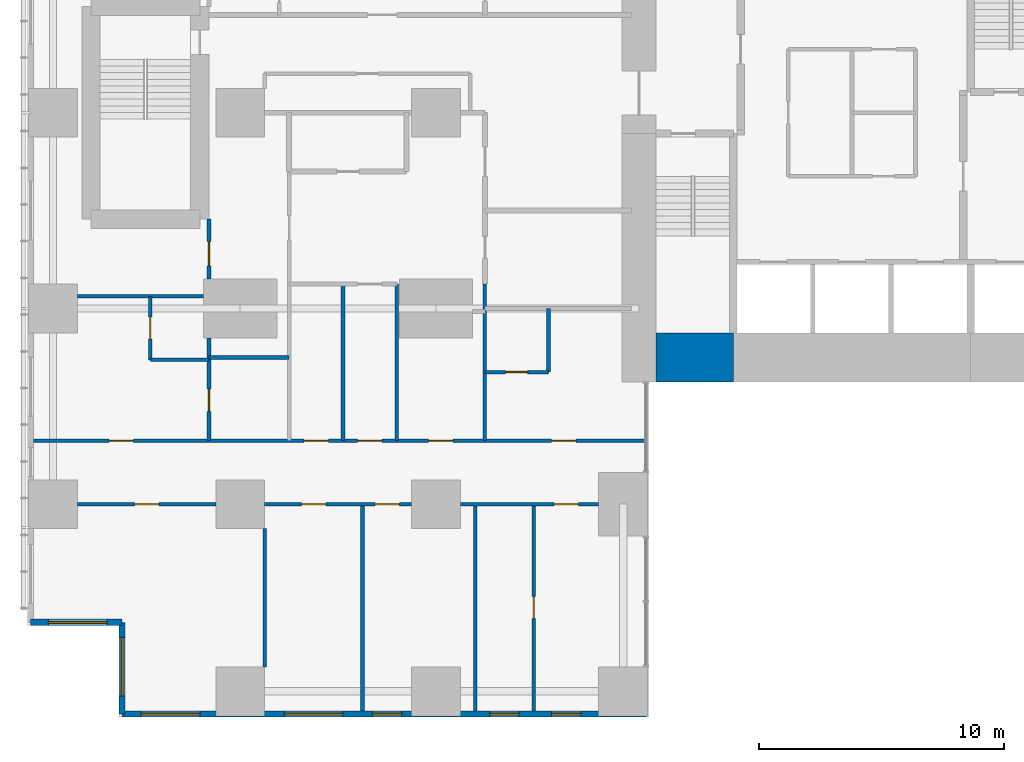
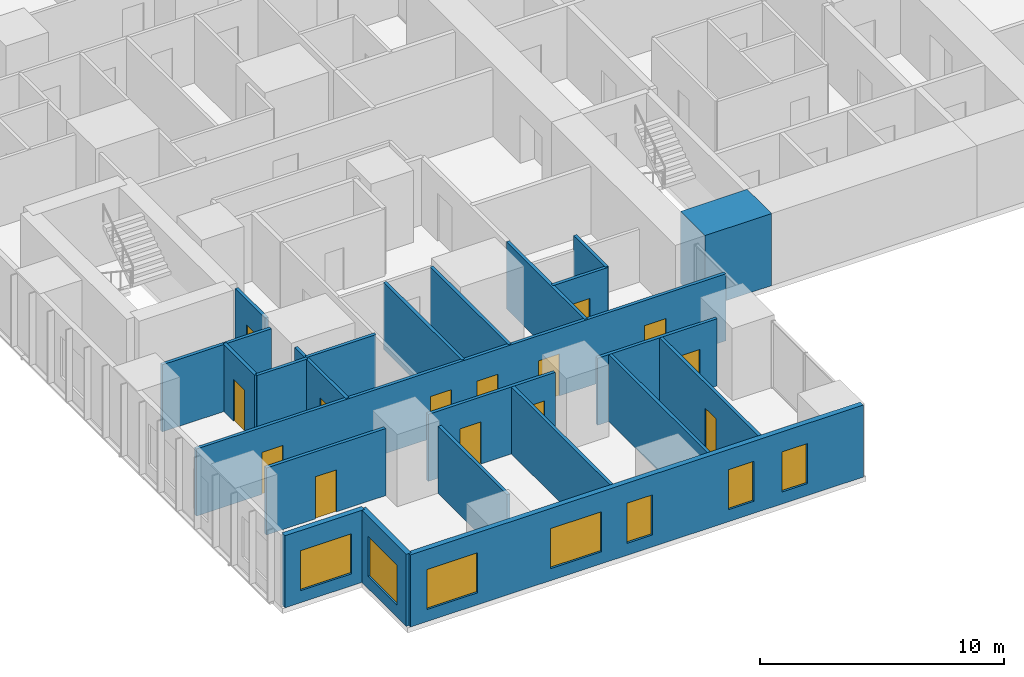
# One storey, part 12 of 20: 23 walls, 14 doors, 7 windows, 21 openings.
"""IFC4 building model written with IfcOpenShell, lengths in metres."""

from ifc_helpers import new_model, si_unit, direction, frame, frame_2d, origin, place, context, subcontext, project, spatial, rectangle, extrude, material, layer, layer_set, type_object, element, fill, save


model = new_model("IFC4")

# Units and contexts
model_context = context("Model", 3, precision=1e-05, world=origin(), true_north=direction((0.0, 1.0)))
body_context = subcontext(model_context, "Body", "Model", "MODEL_VIEW")
ifc_project = project(units=[si_unit("LENGTHUNIT", "METRE"), si_unit("AREAUNIT", "SQUARE_METRE"), si_unit("VOLUMEUNIT", "CUBIC_METRE"), si_unit("PLANEANGLEUNIT", "RADIAN"), si_unit("MASSUNIT", "GRAM", prefix="KILO")], contexts=[model_context])

# Site, building, storey
site_placement = place(None, origin())
site = spatial("IfcSite", under=ifc_project, at=site_placement, CompositionType="ELEMENT")
building_placement = place(site_placement, origin())
building = spatial("IfcBuilding", under=site, at=building_placement, Name="Cleftline Residences", CompositionType="ELEMENT")
storey_placement = place(building_placement, frame((0.0, 0.0, 44.0)))
storey = spatial("IfcBuildingStorey", under=building, at=storey_placement, Name="L10", CompositionType="ELEMENT", Elevation=44.0)

# Wall
ifc_material_1 = material(Name="Concrete B70", Category="concrete")
ifc_layer_1 = layer(ifc_material_1, 2.0)
ifc_layer_set_1 = layer_set([ifc_layer_1], Name="CORE WALL 2000")
wall_type_1 = type_object("IfcWallType", Name="CORE WALL 2000", PredefinedType="SHEAR", material=ifc_layer_set_1)
wall_1_placement = place(storey_placement, frame((25.0, 14.0, 0.0), z_axis=(0.0, 0.0, 1.0), x_axis=(1.0, 0.0, 0.0)))
element("IfcWall", 1, at=wall_1_placement, inside=storey, type_object=wall_type_1, Name="Core wall S1", PredefinedType="SHEAR", context=body_context, shape_type="SweptSolid", body=[
    extrude(rectangle(XDim=3.14990234375, YDim=2.0, at=frame_2d((1.574951171875, 0.0))), origin(), (0.0, 0.0, 1.0), 3.60009765625),
])

# Wall, opening, window
ifc_material_2 = material(Name="Rendered reinforced concrete blockwork", Category="masonry")
ifc_layer_2 = layer(ifc_material_2, 0.25)
ifc_layer_set_2 = layer_set([ifc_layer_2], Name="EXTERNAL WALL 250")
wall_type_2 = type_object("IfcWallType", Name="EXTERNAL WALL 250", PredefinedType="SOLIDWALL", material=ifc_layer_set_2)
wall_2_placement = place(storey_placement, frame((-0.574951171875, 3.175048828125, 0.0), z_axis=(0.0, 0.0, 1.0), x_axis=(1.0, 0.0, 0.0)))
wall_2 = element("IfcWall", 2, at=wall_2_placement, inside=storey, type_object=wall_type_2, Name="External wall", PredefinedType="SOLIDWALL", context=body_context, shape_type="SweptSolid", body=[
    extrude(rectangle(XDim=3.75, YDim=0.25, at=frame_2d((1.875, 0.0))), origin(), (0.0, 0.0, 1.0), 3.60009765625),
])
opening_1_placement = place(wall_2_placement, frame((0.737548828125, 0.0, 0.60009765625)))
opening_1 = element("IfcOpeningElement", 3, at=opening_1_placement, cuts=wall_2, Name="Opening W6", PredefinedType="OPENING", context=body_context, shape_type="SweptSolid", body=[
    extrude(rectangle(XDim=2.39990234375, YDim=2.0, at=frame_2d((1.199951171875, 1.0))), frame((0.0, 0.135009765625, 0.0), z_axis=(0.0, -1.0, 0.0), x_axis=(1.0, 0.0, 0.0)), (0.0, 0.0, 1.0), 0.27001953125),
])
ifc_material_3 = material(Name="Aluminium frame, clear double glazing", Category="aluminium")
window_type_1 = type_object("IfcWindowType", Name="WINDOW 2400X2000", PartitioningType="DOUBLE_PANEL_VERTICAL", PredefinedType="WINDOW", material=ifc_material_3)
window_1_placement = place(opening_1_placement, origin())
window_1 = element("IfcWindow", 4, at=window_1_placement, inside=storey, type_object=window_type_1, Name="Window", OverallHeight=2.0, OverallWidth=2.39990234375, PartitioningType="SINGLE_PANEL", PredefinedType="WINDOW", context=body_context, shape_type="SweptSolid", body=[
    extrude(rectangle(XDim=2.39990234375, YDim=2.0, at=frame_2d((1.199951171875, 1.0))), frame((0.0, 0.030029296875, 0.0), z_axis=(0.0, -1.0, 0.0), x_axis=(1.0, 0.0, 0.0)), (0.0, 0.0, 1.0), 0.06005859375),
])
fill(opening_1, window_1)

wall_3_placement = place(storey_placement, frame((3.175048828125, 3.175048828125, 0.0), z_axis=(0.0, 0.0, 1.0), x_axis=(0.0, -1.0, 0.0)))
wall_3 = element("IfcWall", 5, at=wall_3_placement, inside=storey, type_object=wall_type_2, Name="External wall", PredefinedType="SOLIDWALL", context=body_context, shape_type="SweptSolid", body=[
    extrude(rectangle(XDim=3.75, YDim=0.25, at=frame_2d((1.875, 0.0))), origin(), (0.0, 0.0, 1.0), 3.60009765625),
])
opening_2_placement = place(wall_3_placement, frame((0.612548828125, 0.0, 0.60009765625)))
opening_2 = element("IfcOpeningElement", 6, at=opening_2_placement, cuts=wall_3, Name="Opening W6", PredefinedType="OPENING", context=body_context, shape_type="SweptSolid", body=[
    extrude(rectangle(XDim=2.39990234375, YDim=2.0, at=frame_2d((1.199951171875, 1.0))), frame((0.0, 0.135009765625, 0.0), z_axis=(0.0, -1.0, 0.0), x_axis=(1.0, 0.0, 0.0)), (0.0, 0.0, 1.0), 0.27001953125),
])
window_2_placement = place(opening_2_placement, origin())
window_2 = element("IfcWindow", 7, at=window_2_placement, inside=storey, type_object=window_type_1, Name="Window", OverallHeight=2.0, OverallWidth=2.39990234375, PartitioningType="SINGLE_PANEL", PredefinedType="WINDOW", context=body_context, shape_type="SweptSolid", body=[
    extrude(rectangle(XDim=2.39990234375, YDim=2.0, at=frame_2d((1.199951171875, 1.0))), frame((0.0, 0.030029296875, 0.0), z_axis=(0.0, -1.0, 0.0), x_axis=(1.0, 0.0, 0.0)), (0.0, 0.0, 1.0), 0.06005859375),
])
fill(opening_2, window_2)

# Wall, openings, windows
wall_4_placement = place(storey_placement, frame((3.175048828125, -0.574951171875, 0.0), z_axis=(0.0, 0.0, 1.0), x_axis=(1.0, 0.0, 0.0)))
wall_4 = element("IfcWall", 8, at=wall_4_placement, inside=storey, type_object=wall_type_2, Name="External wall", PredefinedType="SOLIDWALL", context=body_context, shape_type="SweptSolid", body=[
    extrude(rectangle(XDim=21.39990234375, YDim=0.25, at=frame_2d((10.699951171875, 0.0))), origin(), (0.0, 0.0, 1.0), 3.60009765625),
])
opening_3_placement = place(wall_4_placement, frame((0.77490234375, 0.0, 0.60009765625)))
opening_3 = element("IfcOpeningElement", 9, at=opening_3_placement, cuts=wall_4, Name="Opening W6", PredefinedType="OPENING", context=body_context, shape_type="SweptSolid", body=[
    extrude(rectangle(XDim=2.39990234375, YDim=2.0, at=frame_2d((1.199951171875, 1.0))), frame((0.0, 0.135009765625, 0.0), z_axis=(0.0, -1.0, 0.0), x_axis=(1.0, 0.0, 0.0)), (0.0, 0.0, 1.0), 0.27001953125),
])
opening_4_placement = place(wall_4_placement, frame((6.625, 0.0, 0.60009765625)))
opening_4 = element("IfcOpeningElement", 10, at=opening_4_placement, cuts=wall_4, Name="Opening W6", PredefinedType="OPENING", context=body_context, shape_type="SweptSolid", body=[
    extrude(rectangle(XDim=2.39990234375, YDim=2.0, at=frame_2d((1.199951171875, 1.0))), frame((0.0, 0.135009765625, 0.0), z_axis=(0.0, -1.0, 0.0), x_axis=(1.0, 0.0, 0.0)), (0.0, 0.0, 1.0), 0.27001953125),
])
opening_5_placement = place(wall_4_placement, frame((10.22509765625, 0.0, 0.60009765625)))
opening_5 = element("IfcOpeningElement", 11, at=opening_5_placement, cuts=wall_4, Name="Opening W8", PredefinedType="OPENING", context=body_context, shape_type="SweptSolid", body=[
    extrude(rectangle(XDim=1.199951171875, YDim=2.0, at=frame_2d((0.60009765625, 1.0))), frame((0.0, 0.135009765625, 0.0), z_axis=(0.0, -1.0, 0.0), x_axis=(1.0, 0.0, 0.0)), (0.0, 0.0, 1.0), 0.27001953125),
])
opening_6_placement = place(wall_4_placement, frame((15.02490234375, 0.0, 0.60009765625)))
opening_6 = element("IfcOpeningElement", 12, at=opening_6_placement, cuts=wall_4, Name="Opening W8", PredefinedType="OPENING", context=body_context, shape_type="SweptSolid", body=[
    extrude(rectangle(XDim=1.199951171875, YDim=2.0, at=frame_2d((0.60009765625, 1.0))), frame((0.0, 0.135009765625, 0.0), z_axis=(0.0, -1.0, 0.0), x_axis=(1.0, 0.0, 0.0)), (0.0, 0.0, 1.0), 0.27001953125),
])
opening_7_placement = place(wall_4_placement, frame((17.550048828125, 0.0, 0.60009765625)))
opening_7 = element("IfcOpeningElement", 13, at=opening_7_placement, cuts=wall_4, Name="Opening W8", PredefinedType="OPENING", context=body_context, shape_type="SweptSolid", body=[
    extrude(rectangle(XDim=1.199951171875, YDim=2.0, at=frame_2d((0.60009765625, 1.0))), frame((0.0, 0.135009765625, 0.0), z_axis=(0.0, -1.0, 0.0), x_axis=(1.0, 0.0, 0.0)), (0.0, 0.0, 1.0), 0.27001953125),
])
ifc_material_4 = material(Name="Aluminium frame, clear double glazing", Category="aluminium")
window_type_2 = type_object("IfcWindowType", Name="WINDOW 1200X2000", PartitioningType="DOUBLE_PANEL_VERTICAL", PredefinedType="WINDOW", material=ifc_material_4)
window_3_placement = place(opening_5_placement, origin())
window_3 = element("IfcWindow", 14, at=window_3_placement, inside=storey, type_object=window_type_2, Name="Window", OverallHeight=2.0, OverallWidth=1.199951171875, PartitioningType="SINGLE_PANEL", PredefinedType="WINDOW", context=body_context, shape_type="SweptSolid", body=[
    extrude(rectangle(XDim=1.199951171875, YDim=2.0, at=frame_2d((0.60009765625, 1.0))), frame((0.0, 0.030029296875, 0.0), z_axis=(0.0, -1.0, 0.0), x_axis=(1.0, 0.0, 0.0)), (0.0, 0.0, 1.0), 0.06005859375),
])
fill(opening_5, window_3)
window_4_placement = place(opening_6_placement, origin())
window_4 = element("IfcWindow", 15, at=window_4_placement, inside=storey, type_object=window_type_2, Name="Window", OverallHeight=2.0, OverallWidth=1.199951171875, PartitioningType="SINGLE_PANEL", PredefinedType="WINDOW", context=body_context, shape_type="SweptSolid", body=[
    extrude(rectangle(XDim=1.199951171875, YDim=2.0, at=frame_2d((0.60009765625, 1.0))), frame((0.0, 0.030029296875, 0.0), z_axis=(0.0, -1.0, 0.0), x_axis=(1.0, 0.0, 0.0)), (0.0, 0.0, 1.0), 0.06005859375),
])
fill(opening_6, window_4)
window_5_placement = place(opening_7_placement, origin())
window_5 = element("IfcWindow", 16, at=window_5_placement, inside=storey, type_object=window_type_2, Name="Window", OverallHeight=2.0, OverallWidth=1.199951171875, PartitioningType="SINGLE_PANEL", PredefinedType="WINDOW", context=body_context, shape_type="SweptSolid", body=[
    extrude(rectangle(XDim=1.199951171875, YDim=2.0, at=frame_2d((0.60009765625, 1.0))), frame((0.0, 0.030029296875, 0.0), z_axis=(0.0, -1.0, 0.0), x_axis=(1.0, 0.0, 0.0)), (0.0, 0.0, 1.0), 0.06005859375),
])
fill(opening_7, window_5)
window_6_placement = place(opening_3_placement, origin())
window_6 = element("IfcWindow", 17, at=window_6_placement, inside=storey, type_object=window_type_1, Name="Window", OverallHeight=2.0, OverallWidth=2.39990234375, PartitioningType="SINGLE_PANEL", PredefinedType="WINDOW", context=body_context, shape_type="SweptSolid", body=[
    extrude(rectangle(XDim=2.39990234375, YDim=2.0, at=frame_2d((1.199951171875, 1.0))), frame((0.0, 0.030029296875, 0.0), z_axis=(0.0, -1.0, 0.0), x_axis=(1.0, 0.0, 0.0)), (0.0, 0.0, 1.0), 0.06005859375),
])
fill(opening_3, window_6)
window_7_placement = place(opening_4_placement, origin())
window_7 = element("IfcWindow", 18, at=window_7_placement, inside=storey, type_object=window_type_1, Name="Window", OverallHeight=2.0, OverallWidth=2.39990234375, PartitioningType="SINGLE_PANEL", PredefinedType="WINDOW", context=body_context, shape_type="SweptSolid", body=[
    extrude(rectangle(XDim=2.39990234375, YDim=2.0, at=frame_2d((1.199951171875, 1.0))), frame((0.0, 0.030029296875, 0.0), z_axis=(0.0, -1.0, 0.0), x_axis=(1.0, 0.0, 0.0)), (0.0, 0.0, 1.0), 0.06005859375),
])
fill(opening_4, window_7)

# Wall, opening, door
ifc_material_5 = material(Name="Gypsum board on steel studs", Category="steel")
ifc_layer_3 = layer(ifc_material_5, 0.14990234375)
ifc_layer_set_3 = layer_set([ifc_layer_3], Name="PARTITION 150")
wall_type_3 = type_object("IfcWallType", Name="PARTITION 150", PredefinedType="PARTITIONING", material=ifc_layer_set_3)
wall_5_placement = place(storey_placement, frame((1.35009765625, 8.0, 0.0), z_axis=(0.0, 0.0, 1.0), x_axis=(1.0, 0.0, 0.0)))
wall_5 = element("IfcWall", 19, at=wall_5_placement, inside=storey, type_object=wall_type_3, Name="Partition", PredefinedType="PARTITIONING", context=body_context, shape_type="SweptSolid", body=[
    extrude(rectangle(XDim=5.64990234375, YDim=0.14990234375, at=frame_2d((2.824951171875, 0.0))), origin(), (0.0, 0.0, 1.0), 3.35009765625),
])
opening_8_placement = place(wall_5_placement, frame((2.324951171875, 0.0, 0.0)))
opening_8 = element("IfcOpeningElement", 20, at=opening_8_placement, cuts=wall_5, Name="Opening D2", PredefinedType="OPENING", context=body_context, shape_type="SweptSolid", body=[
    extrude(rectangle(XDim=1.0, YDim=2.10009765625, at=frame_2d((0.5, 1.050048828125))), frame((0.0, 0.0849609375, 0.0), z_axis=(0.0, -1.0, 0.0), x_axis=(1.0, 0.0, 0.0)), (0.0, 0.0, 1.0), 0.169921875),
])
ifc_material_6 = material(Name="Timber veneer on solid core", Category="wood")
door_type_1 = type_object("IfcDoorType", Name="DOOR 1000X2100", OperationType="SINGLE_SWING_LEFT", PredefinedType="DOOR", material=ifc_material_6)
door_1_placement = place(opening_8_placement, origin())
door_1 = element("IfcDoor", 21, at=door_1_placement, inside=storey, type_object=door_type_1, Name="Door to living room", OperationType="SINGLE_SWING_LEFT", OverallHeight=2.10009765625, OverallWidth=1.0, PredefinedType="DOOR", context=body_context, shape_type="SweptSolid", body=[
    extrude(rectangle(XDim=1.0, YDim=2.10009765625, at=frame_2d((0.5, 1.050048828125))), frame((0.0, 0.02490234375, 0.0), z_axis=(0.0, -1.0, 0.0), x_axis=(1.0, 0.0, 0.0)), (0.0, 0.0, 1.0), 0.050048828125),
])
fill(opening_8, door_1)

# Wall, openings, doors
wall_6_placement = place(storey_placement, frame((9.0, 8.0, 0.0), z_axis=(0.0, 0.0, 1.0), x_axis=(1.0, 0.0, 0.0)))
wall_6 = element("IfcWall", 22, at=wall_6_placement, inside=storey, type_object=wall_type_3, Name="Partition", PredefinedType="PARTITIONING", context=body_context, shape_type="SweptSolid", body=[
    extrude(rectangle(XDim=6.0, YDim=0.14990234375, at=frame_2d((3.0, 0.0))), origin(), (0.0, 0.0, 1.0), 3.35009765625),
])
opening_9_placement = place(wall_6_placement, frame((1.5, 0.0, 0.0)))
opening_9 = element("IfcOpeningElement", 23, at=opening_9_placement, cuts=wall_6, Name="Opening D2", PredefinedType="OPENING", context=body_context, shape_type="SweptSolid", body=[
    extrude(rectangle(XDim=1.0, YDim=2.10009765625, at=frame_2d((0.5, 1.050048828125))), frame((0.0, 0.0849609375, 0.0), z_axis=(0.0, -1.0, 0.0), x_axis=(1.0, 0.0, 0.0)), (0.0, 0.0, 1.0), 0.169921875),
])
opening_10_placement = place(wall_6_placement, frame((4.5, 0.0, 0.0)))
opening_10 = element("IfcOpeningElement", 24, at=opening_10_placement, cuts=wall_6, Name="Opening D2", PredefinedType="OPENING", context=body_context, shape_type="SweptSolid", body=[
    extrude(rectangle(XDim=1.0, YDim=2.10009765625, at=frame_2d((0.5, 1.050048828125))), frame((0.0, 0.0849609375, 0.0), z_axis=(0.0, -1.0, 0.0), x_axis=(1.0, 0.0, 0.0)), (0.0, 0.0, 1.0), 0.169921875),
])
door_2_placement = place(opening_9_placement, origin())
door_2 = element("IfcDoor", 25, at=door_2_placement, inside=storey, type_object=door_type_1, Name="Door to dining room", OperationType="SINGLE_SWING_RIGHT", OverallHeight=2.10009765625, OverallWidth=1.0, PredefinedType="DOOR", context=body_context, shape_type="SweptSolid", body=[
    extrude(rectangle(XDim=1.0, YDim=2.10009765625, at=frame_2d((0.5, 1.050048828125))), frame((0.0, 0.02490234375, 0.0), z_axis=(0.0, -1.0, 0.0), x_axis=(1.0, 0.0, 0.0)), (0.0, 0.0, 1.0), 0.050048828125),
])
fill(opening_9, door_2)
door_3_placement = place(opening_10_placement, origin())
door_3 = element("IfcDoor", 26, at=door_3_placement, inside=storey, type_object=door_type_1, Name="Door to show kitchen", OperationType="SINGLE_SWING_LEFT", OverallHeight=2.10009765625, OverallWidth=1.0, PredefinedType="DOOR", context=body_context, shape_type="SweptSolid", body=[
    extrude(rectangle(XDim=1.0, YDim=2.10009765625, at=frame_2d((0.5, 1.050048828125))), frame((0.0, 0.02490234375, 0.0), z_axis=(0.0, -1.0, 0.0), x_axis=(1.0, 0.0, 0.0)), (0.0, 0.0, 1.0), 0.050048828125),
])
fill(opening_10, door_3)

# Wall, opening, door
wall_7_placement = place(storey_placement, frame((17.0, 8.0, 0.0), z_axis=(0.0, 0.0, 1.0), x_axis=(1.0, 0.0, 0.0)))
wall_7 = element("IfcWall", 27, at=wall_7_placement, inside=storey, type_object=wall_type_3, Name="Partition", PredefinedType="PARTITIONING", context=body_context, shape_type="SweptSolid", body=[
    extrude(rectangle(XDim=5.64990234375, YDim=0.14990234375, at=frame_2d((2.824951171875, 0.0))), origin(), (0.0, 0.0, 1.0), 3.35009765625),
])
opening_11_placement = place(wall_7_placement, frame((3.824951171875, 0.0, 0.0)))
opening_11 = element("IfcOpeningElement", 28, at=opening_11_placement, cuts=wall_7, Name="Opening D2", PredefinedType="OPENING", context=body_context, shape_type="SweptSolid", body=[
    extrude(rectangle(XDim=1.0, YDim=2.10009765625, at=frame_2d((0.5, 1.050048828125))), frame((0.0, 0.0849609375, 0.0), z_axis=(0.0, -1.0, 0.0), x_axis=(1.0, 0.0, 0.0)), (0.0, 0.0, 1.0), 0.169921875),
])
door_4_placement = place(opening_11_placement, origin())
door_4 = element("IfcDoor", 29, at=door_4_placement, inside=storey, type_object=door_type_1, Name="Door to bedroom 2", OperationType="SINGLE_SWING_LEFT", OverallHeight=2.10009765625, OverallWidth=1.0, PredefinedType="DOOR", context=body_context, shape_type="SweptSolid", body=[
    extrude(rectangle(XDim=1.0, YDim=2.10009765625, at=frame_2d((0.5, 1.050048828125))), frame((0.0, 0.02490234375, 0.0), z_axis=(0.0, -1.0, 0.0), x_axis=(1.0, 0.0, 0.0)), (0.0, 0.0, 1.0), 0.050048828125),
])
fill(opening_11, door_4)

# Wall, openings, doors
wall_8_placement = place(storey_placement, frame((-0.449951171875, 10.60009765625, 0.0), z_axis=(0.0, 0.0, 1.0), x_axis=(1.0, 0.0, 0.0)))
wall_8 = element("IfcWall", 30, at=wall_8_placement, inside=storey, type_object=wall_type_3, Name="Partition", PredefinedType="PARTITIONING", context=body_context, shape_type="SweptSolid", body=[
    extrude(rectangle(XDim=25.010986328125, YDim=0.14990234375, at=frame_2d((12.50537109375, 0.0))), origin(), (0.0, 0.0, 1.0), 3.35009765625),
])
opening_12_placement = place(wall_8_placement, frame((13.25, 0.0, 0.0)))
opening_12 = element("IfcOpeningElement", 31, at=opening_12_placement, cuts=wall_8, Name="Opening D2", PredefinedType="OPENING", context=body_context, shape_type="SweptSolid", body=[
    extrude(rectangle(XDim=1.0, YDim=2.10009765625, at=frame_2d((0.5, 1.050048828125))), frame((0.0, 0.0849609375, 0.0), z_axis=(0.0, -1.0, 0.0), x_axis=(1.0, 0.0, 0.0)), (0.0, 0.0, 1.0), 0.169921875),
])
opening_13_placement = place(wall_8_placement, frame((3.08740234375, 0.0, 0.0)))
opening_13 = element("IfcOpeningElement", 32, at=opening_13_placement, cuts=wall_8, Name="Opening D2", PredefinedType="OPENING", context=body_context, shape_type="SweptSolid", body=[
    extrude(rectangle(XDim=1.0, YDim=2.10009765625, at=frame_2d((0.5, 1.050048828125))), frame((0.0, 0.0849609375, 0.0), z_axis=(0.0, -1.0, 0.0), x_axis=(1.0, 0.0, 0.0)), (0.0, 0.0, 1.0), 0.169921875),
])
opening_14_placement = place(wall_8_placement, frame((11.050048828125, 0.0, 0.0)))
opening_14 = element("IfcOpeningElement", 33, at=opening_14_placement, cuts=wall_8, Name="Opening D2", PredefinedType="OPENING", context=body_context, shape_type="SweptSolid", body=[
    extrude(rectangle(XDim=1.0, YDim=2.10009765625, at=frame_2d((0.5, 1.050048828125))), frame((0.0, 0.0849609375, 0.0), z_axis=(0.0, -1.0, 0.0), x_axis=(1.0, 0.0, 0.0)), (0.0, 0.0, 1.0), 0.169921875),
])
opening_15_placement = place(wall_8_placement, frame((16.14990234375, 0.0, 0.0)))
opening_15 = element("IfcOpeningElement", 34, at=opening_15_placement, cuts=wall_8, Name="Opening D2", PredefinedType="OPENING", context=body_context, shape_type="SweptSolid", body=[
    extrude(rectangle(XDim=1.0, YDim=2.10009765625, at=frame_2d((0.5, 1.050048828125))), frame((0.0, 0.0849609375, 0.0), z_axis=(0.0, -1.0, 0.0), x_axis=(1.0, 0.0, 0.0)), (0.0, 0.0, 1.0), 0.169921875),
])
opening_16_placement = place(wall_8_placement, frame((21.175048828125, 0.0, 0.0)))
opening_16 = element("IfcOpeningElement", 35, at=opening_16_placement, cuts=wall_8, Name="Opening D2", PredefinedType="OPENING", context=body_context, shape_type="SweptSolid", body=[
    extrude(rectangle(XDim=1.0, YDim=2.10009765625, at=frame_2d((0.5, 1.050048828125))), frame((0.0, 0.0849609375, 0.0), z_axis=(0.0, -1.0, 0.0), x_axis=(1.0, 0.0, 0.0)), (0.0, 0.0, 1.0), 0.169921875),
])
door_5_placement = place(opening_12_placement, origin())
door_5 = element("IfcDoor", 36, at=door_5_placement, inside=storey, type_object=door_type_1, Name="Door to residence hall", OperationType="SINGLE_SWING_LEFT", OverallHeight=2.10009765625, OverallWidth=1.0, PredefinedType="DOOR", context=body_context, shape_type="SweptSolid", body=[
    extrude(rectangle(XDim=1.0, YDim=2.10009765625, at=frame_2d((0.5, 1.050048828125))), frame((0.0, 0.02490234375, 0.0), z_axis=(0.0, -1.0, 0.0), x_axis=(1.0, 0.0, 0.0)), (0.0, 0.0, 1.0), 0.050048828125),
])
fill(opening_12, door_5)
door_6_placement = place(opening_13_placement, origin())
door_6 = element("IfcDoor", 37, at=door_6_placement, inside=storey, type_object=door_type_1, Name="Door to master bedroom", OperationType="SINGLE_SWING_RIGHT", OverallHeight=2.10009765625, OverallWidth=1.0, PredefinedType="DOOR", context=body_context, shape_type="SweptSolid", body=[
    extrude(rectangle(XDim=1.0, YDim=2.10009765625, at=frame_2d((0.5, 1.050048828125))), frame((0.0, 0.02490234375, 0.0), z_axis=(0.0, -1.0, 0.0), x_axis=(1.0, 0.0, 0.0)), (0.0, 0.0, 1.0), 0.050048828125),
])
fill(opening_13, door_6)
door_7_placement = place(opening_14_placement, origin())
door_7 = element("IfcDoor", 38, at=door_7_placement, inside=storey, type_object=door_type_1, Name="Door to wet kitchen", OperationType="SINGLE_SWING_RIGHT", OverallHeight=2.10009765625, OverallWidth=1.0, PredefinedType="DOOR", context=body_context, shape_type="SweptSolid", body=[
    extrude(rectangle(XDim=1.0, YDim=2.10009765625, at=frame_2d((0.5, 1.050048828125))), frame((0.0, 0.02490234375, 0.0), z_axis=(0.0, -1.0, 0.0), x_axis=(1.0, 0.0, 0.0)), (0.0, 0.0, 1.0), 0.050048828125),
])
fill(opening_14, door_7)
door_8_placement = place(opening_15_placement, origin())
door_8 = element("IfcDoor", 39, at=door_8_placement, inside=storey, type_object=door_type_1, Name="Door to family room", OperationType="SINGLE_SWING_LEFT", OverallHeight=2.10009765625, OverallWidth=1.0, PredefinedType="DOOR", context=body_context, shape_type="SweptSolid", body=[
    extrude(rectangle(XDim=1.0, YDim=2.10009765625, at=frame_2d((0.5, 1.050048828125))), frame((0.0, 0.02490234375, 0.0), z_axis=(0.0, -1.0, 0.0), x_axis=(1.0, 0.0, 0.0)), (0.0, 0.0, 1.0), 0.050048828125),
])
fill(opening_15, door_8)
door_9_placement = place(opening_16_placement, origin())
door_9 = element("IfcDoor", 40, at=door_9_placement, inside=storey, type_object=door_type_1, Name="Door to bedroom 3", OperationType="SINGLE_SWING_LEFT", OverallHeight=2.10009765625, OverallWidth=1.0, PredefinedType="DOOR", context=body_context, shape_type="SweptSolid", body=[
    extrude(rectangle(XDim=1.0, YDim=2.10009765625, at=frame_2d((0.5, 1.050048828125))), frame((0.0, 0.02490234375, 0.0), z_axis=(0.0, -1.0, 0.0), x_axis=(1.0, 0.0, 0.0)), (0.0, 0.0, 1.0), 0.050048828125),
])
fill(opening_16, door_9)

# Wall, opening, door
wall_9_placement = place(storey_placement, frame((18.0, 13.39990234375, 0.0), z_axis=(0.0, 0.0, 1.0), x_axis=(1.0, 0.0, 0.0)))
wall_9 = element("IfcWall", 41, at=wall_9_placement, inside=storey, type_object=wall_type_3, Name="Partition", PredefinedType="PARTITIONING", context=body_context, shape_type="SweptSolid", body=[
    extrude(rectangle(XDim=2.60009765625, YDim=0.14990234375, at=frame_2d((1.300048828125, 0.0))), origin(), (0.0, 0.0, 1.0), 3.35009765625),
])
opening_17_placement = place(wall_9_placement, frame((0.85009765625, 0.0, 0.0)))
opening_17 = element("IfcOpeningElement", 42, at=opening_17_placement, cuts=wall_9, Name="Opening D1", PredefinedType="OPENING", context=body_context, shape_type="SweptSolid", body=[
    extrude(rectangle(XDim=0.89990234375, YDim=2.10009765625, at=frame_2d((0.449951171875, 1.050048828125))), frame((0.0, 0.0849609375, 0.0), z_axis=(0.0, -1.0, 0.0), x_axis=(1.0, 0.0, 0.0)), (0.0, 0.0, 1.0), 0.169921875),
])
ifc_material_7 = material(Name="Timber veneer on solid core", Category="wood")
door_type_2 = type_object("IfcDoorType", Name="DOOR 900X2100", OperationType="SINGLE_SWING_LEFT", PredefinedType="DOOR", material=ifc_material_7)
door_10_placement = place(opening_17_placement, origin())
door_10 = element("IfcDoor", 43, at=door_10_placement, inside=storey, type_object=door_type_2, Name="Door to en-suite bathroom 3", OperationType="SINGLE_SWING_LEFT", OverallHeight=2.10009765625, OverallWidth=0.89990234375, PredefinedType="DOOR", context=body_context, shape_type="SweptSolid", body=[
    extrude(rectangle(XDim=0.89990234375, YDim=2.10009765625, at=frame_2d((0.449951171875, 1.050048828125))), frame((0.0, 0.02490234375, 0.0), z_axis=(0.0, -1.0, 0.0), x_axis=(1.0, 0.0, 0.0)), (0.0, 0.0, 1.0), 0.050048828125),
])
fill(opening_17, door_10)

# Walls
wall_10_placement = place(storey_placement, frame((4.324951171875, 13.89990234375, 0.0), z_axis=(0.0, 0.0, 1.0), x_axis=(1.0, 0.0, 0.0)))
element("IfcWall", 44, at=wall_10_placement, inside=storey, type_object=wall_type_3, Name="Partition", PredefinedType="PARTITIONING", context=body_context, shape_type="SweptSolid", body=[
    extrude(rectangle(XDim=2.400146484375, YDim=0.14990234375, at=frame_2d((1.2001953125, 0.0))), origin(), (0.0, 0.0, 1.0), 3.35009765625),
])
wall_11_placement = place(storey_placement, frame((6.72509765625, 14.0, 0.0), z_axis=(0.0, 0.0, 1.0), x_axis=(1.0, 0.0, 0.0)))
element("IfcWall", 45, at=wall_11_placement, inside=storey, type_object=wall_type_3, Name="Partition", PredefinedType="PARTITIONING", context=body_context, shape_type="SweptSolid", body=[
    extrude(rectangle(XDim=3.27490234375, YDim=0.14990234375, at=frame_2d((1.637451171875, 0.0))), origin(), (0.0, 0.0, 1.0), 3.35009765625),
])
wall_12_placement = place(storey_placement, frame((1.35009765625, 16.5, 0.0), z_axis=(0.0, 0.0, 1.0), x_axis=(1.0, 0.0, 0.0)))
element("IfcWall", 46, at=wall_12_placement, inside=storey, type_object=wall_type_3, Name="Partition", PredefinedType="PARTITIONING", context=body_context, shape_type="SweptSolid", body=[
    extrude(rectangle(XDim=5.14990234375, YDim=0.14990234375, at=frame_2d((2.574951171875, 0.0))), origin(), (0.0, 0.0, 1.0), 3.35009765625),
])

# Wall, opening, door
wall_13_placement = place(storey_placement, frame((4.324951171875, 13.89990234375, 0.0), z_axis=(0.0, 0.0, 1.0), x_axis=(0.0, 1.0, 0.0)))
wall_13 = element("IfcWall", 47, at=wall_13_placement, inside=storey, type_object=wall_type_3, Name="Partition", PredefinedType="PARTITIONING", context=body_context, shape_type="SweptSolid", body=[
    extrude(rectangle(XDim=2.60009765625, YDim=0.14990234375, at=frame_2d((1.300048828125, 0.0))), origin(), (0.0, 0.0, 1.0), 3.35009765625),
])
opening_18_placement = place(wall_13_placement, frame((0.85009765625, 0.0, 0.0)))
opening_18 = element("IfcOpeningElement", 48, at=opening_18_placement, cuts=wall_13, Name="Opening D1", PredefinedType="OPENING", context=body_context, shape_type="SweptSolid", body=[
    extrude(rectangle(XDim=0.89990234375, YDim=2.10009765625, at=frame_2d((0.449951171875, 1.050048828125))), frame((0.0, 0.0849609375, 0.0), z_axis=(0.0, -1.0, 0.0), x_axis=(1.0, 0.0, 0.0)), (0.0, 0.0, 1.0), 0.169921875),
])
door_11_placement = place(opening_18_placement, origin())
door_11 = element("IfcDoor", 49, at=door_11_placement, inside=storey, type_object=door_type_2, Name="Door to master bathroom", OperationType="SINGLE_SWING_LEFT", OverallHeight=2.10009765625, OverallWidth=0.89990234375, PredefinedType="DOOR", context=body_context, shape_type="SweptSolid", body=[
    extrude(rectangle(XDim=0.89990234375, YDim=2.10009765625, at=frame_2d((0.449951171875, 1.050048828125))), frame((0.0, 0.02490234375, 0.0), z_axis=(0.0, -1.0, 0.0), x_axis=(1.0, 0.0, 0.0)), (0.0, 0.0, 1.0), 0.050048828125),
])
fill(opening_18, door_11)

wall_14_placement = place(storey_placement, frame((6.72509765625, 10.60009765625, 0.0), z_axis=(0.0, 0.0, 1.0), x_axis=(0.0, 1.0, 0.0)))
wall_14 = element("IfcWall", 50, at=wall_14_placement, inside=storey, type_object=wall_type_3, Name="Partition", PredefinedType="PARTITIONING", context=body_context, shape_type="SweptSolid", body=[
    extrude(rectangle(XDim=4.199951171875, YDim=0.14990234375, at=frame_2d((2.10009765625, 0.0))), origin(), (0.0, 0.0, 1.0), 3.35009765625),
])
opening_19_placement = place(wall_14_placement, frame((1.199951171875, 0.0, 0.0)))
opening_19 = element("IfcOpeningElement", 51, at=opening_19_placement, cuts=wall_14, Name="Opening D1", PredefinedType="OPENING", context=body_context, shape_type="SweptSolid", body=[
    extrude(rectangle(XDim=0.89990234375, YDim=2.10009765625, at=frame_2d((0.449951171875, 1.050048828125))), frame((0.0, 0.0849609375, 0.0), z_axis=(0.0, -1.0, 0.0), x_axis=(1.0, 0.0, 0.0)), (0.0, 0.0, 1.0), 0.169921875),
])
door_12_placement = place(opening_19_placement, origin())
door_12 = element("IfcDoor", 52, at=door_12_placement, inside=storey, type_object=door_type_2, Name="Door to master dressing room", OperationType="SINGLE_SWING_RIGHT", OverallHeight=2.10009765625, OverallWidth=0.89990234375, PredefinedType="DOOR", context=body_context, shape_type="SweptSolid", body=[
    extrude(rectangle(XDim=0.89990234375, YDim=2.10009765625, at=frame_2d((0.449951171875, 1.050048828125))), frame((0.0, 0.02490234375, 0.0), z_axis=(0.0, -1.0, 0.0), x_axis=(1.0, 0.0, 0.0)), (0.0, 0.0, 1.0), 0.050048828125),
])
fill(opening_19, door_12)

wall_15_placement = place(storey_placement, frame((6.72509765625, 17.199951171875, 0.0), z_axis=(0.0, 0.0, 1.0), x_axis=(0.0, 1.0, 0.0)))
wall_15 = element("IfcWall", 53, at=wall_15_placement, inside=storey, type_object=wall_type_3, Name="Partition", PredefinedType="PARTITIONING", context=body_context, shape_type="SweptSolid", body=[
    extrude(rectangle(XDim=2.449951171875, YDim=0.14990234375, at=frame_2d((1.22509765625, 0.0))), origin(), (0.0, 0.0, 1.0), 3.35009765625),
])
opening_20_placement = place(wall_15_placement, frame((0.53759765625, 0.0, 0.0)))
opening_20 = element("IfcOpeningElement", 54, at=opening_20_placement, cuts=wall_15, Name="Opening D2", PredefinedType="OPENING", context=body_context, shape_type="SweptSolid", body=[
    extrude(rectangle(XDim=1.0, YDim=2.10009765625, at=frame_2d((0.5, 1.050048828125))), frame((0.0, 0.0849609375, 0.0), z_axis=(0.0, -1.0, 0.0), x_axis=(1.0, 0.0, 0.0)), (0.0, 0.0, 1.0), 0.169921875),
])
door_13_placement = place(opening_20_placement, origin())
door_13 = element("IfcDoor", 55, at=door_13_placement, inside=storey, type_object=door_type_1, Name="Door to winter garden", OperationType="SINGLE_SWING_RIGHT", OverallHeight=2.10009765625, OverallWidth=1.0, PredefinedType="DOOR", context=body_context, shape_type="SweptSolid", body=[
    extrude(rectangle(XDim=1.0, YDim=2.10009765625, at=frame_2d((0.5, 1.050048828125))), frame((0.0, 0.02490234375, 0.0), z_axis=(0.0, -1.0, 0.0), x_axis=(1.0, 0.0, 0.0)), (0.0, 0.0, 1.0), 0.050048828125),
])
fill(opening_20, door_13)

# Walls
wall_16_placement = place(storey_placement, frame((9.0, 1.35009765625, 0.0), z_axis=(0.0, 0.0, 1.0), x_axis=(0.0, 1.0, 0.0)))
element("IfcWall", 56, at=wall_16_placement, inside=storey, type_object=wall_type_3, Name="Partition", PredefinedType="PARTITIONING", context=body_context, shape_type="SweptSolid", body=[
    extrude(rectangle(XDim=5.64990234375, YDim=0.14990234375, at=frame_2d((2.824951171875, 0.0))), origin(), (0.0, 0.0, 1.0), 3.35009765625),
])
wall_17_placement = place(storey_placement, frame((12.199951171875, 10.60009765625, 0.0), z_axis=(0.0, 0.0, 1.0), x_axis=(0.0, 1.0, 0.0)))
element("IfcWall", 57, at=wall_17_placement, inside=storey, type_object=wall_type_3, Name="Partition", PredefinedType="PARTITIONING", context=body_context, shape_type="SweptSolid", body=[
    extrude(rectangle(XDim=6.39990234375, YDim=0.14990234375, at=frame_2d((3.199951171875, 0.0))), origin(), (0.0, 0.0, 1.0), 3.35009765625),
])
wall_18_placement = place(storey_placement, frame((13.0, -0.449951171875, 0.0), z_axis=(0.0, 0.0, 1.0), x_axis=(0.0, 1.0, 0.0)))
element("IfcWall", 58, at=wall_18_placement, inside=storey, type_object=wall_type_3, Name="Partition", PredefinedType="PARTITIONING", context=body_context, shape_type="SweptSolid", body=[
    extrude(rectangle(XDim=8.449951171875, YDim=0.14990234375, at=frame_2d((4.22509765625, 0.0))), origin(), (0.0, 0.0, 1.0), 3.35009765625),
])
wall_19_placement = place(storey_placement, frame((14.39990234375, 10.60009765625, 0.0), z_axis=(0.0, 0.0, 1.0), x_axis=(0.0, 1.0, 0.0)))
element("IfcWall", 59, at=wall_19_placement, inside=storey, type_object=wall_type_3, Name="Partition", PredefinedType="PARTITIONING", context=body_context, shape_type="SweptSolid", body=[
    extrude(rectangle(XDim=6.39990234375, YDim=0.14990234375, at=frame_2d((3.199951171875, 0.0))), origin(), (0.0, 0.0, 1.0), 3.35009765625),
])
wall_20_placement = place(storey_placement, frame((17.60009765625, -0.449951171875, 0.0), z_axis=(0.0, 0.0, 1.0), x_axis=(0.0, 1.0, 0.0)))
element("IfcWall", 60, at=wall_20_placement, inside=storey, type_object=wall_type_3, Name="Partition", PredefinedType="PARTITIONING", context=body_context, shape_type="SweptSolid", body=[
    extrude(rectangle(XDim=8.449951171875, YDim=0.14990234375, at=frame_2d((4.22509765625, 0.0))), origin(), (0.0, 0.0, 1.0), 3.35009765625),
])
wall_21_placement = place(storey_placement, frame((18.0, 10.60009765625, 0.0), z_axis=(0.0, 0.0, 1.0), x_axis=(0.0, 1.0, 0.0)))
element("IfcWall", 61, at=wall_21_placement, inside=storey, type_object=wall_type_3, Name="Partition", PredefinedType="PARTITIONING", context=body_context, shape_type="SweptSolid", body=[
    extrude(rectangle(XDim=6.39990234375, YDim=0.14990234375, at=frame_2d((3.199951171875, 0.0))), origin(), (0.0, 0.0, 1.0), 3.35009765625),
])

# Wall, opening, door
wall_22_placement = place(storey_placement, frame((20.0, -0.449951171875, 0.0), z_axis=(0.0, 0.0, 1.0), x_axis=(0.0, 1.0, 0.0)))
wall_22 = element("IfcWall", 62, at=wall_22_placement, inside=storey, type_object=wall_type_3, Name="Partition", PredefinedType="PARTITIONING", context=body_context, shape_type="SweptSolid", body=[
    extrude(rectangle(XDim=8.449951171875, YDim=0.14990234375, at=frame_2d((4.22509765625, 0.0))), origin(), (0.0, 0.0, 1.0), 3.35009765625),
])
opening_21_placement = place(wall_22_placement, frame((3.77490234375, 0.0, 0.0)))
opening_21 = element("IfcOpeningElement", 63, at=opening_21_placement, cuts=wall_22, Name="Opening D1", PredefinedType="OPENING", context=body_context, shape_type="SweptSolid", body=[
    extrude(rectangle(XDim=0.89990234375, YDim=2.10009765625, at=frame_2d((0.449951171875, 1.050048828125))), frame((0.0, 0.0849609375, 0.0), z_axis=(0.0, -1.0, 0.0), x_axis=(1.0, 0.0, 0.0)), (0.0, 0.0, 1.0), 0.169921875),
])
door_14_placement = place(opening_21_placement, origin())
door_14 = element("IfcDoor", 64, at=door_14_placement, inside=storey, type_object=door_type_2, Name="Door to en-suite bathroom 2", OperationType="SINGLE_SWING_LEFT", OverallHeight=2.10009765625, OverallWidth=0.89990234375, PredefinedType="DOOR", context=body_context, shape_type="SweptSolid", body=[
    extrude(rectangle(XDim=0.89990234375, YDim=2.10009765625, at=frame_2d((0.449951171875, 1.050048828125))), frame((0.0, 0.02490234375, 0.0), z_axis=(0.0, -1.0, 0.0), x_axis=(1.0, 0.0, 0.0)), (0.0, 0.0, 1.0), 0.050048828125),
])
fill(opening_21, door_14)

# Wall
wall_23_placement = place(storey_placement, frame((20.60009765625, 13.39990234375, 0.0), z_axis=(0.0, 0.0, 1.0), x_axis=(0.0, 1.0, 0.0)))
element("IfcWall", 65, at=wall_23_placement, inside=storey, type_object=wall_type_3, Name="Partition", PredefinedType="PARTITIONING", context=body_context, shape_type="SweptSolid", body=[
    extrude(rectangle(XDim=2.60009765625, YDim=0.14990234375, at=frame_2d((1.300048828125, 0.0))), origin(), (0.0, 0.0, 1.0), 3.35009765625),
])

save(model, "model.ifc")
